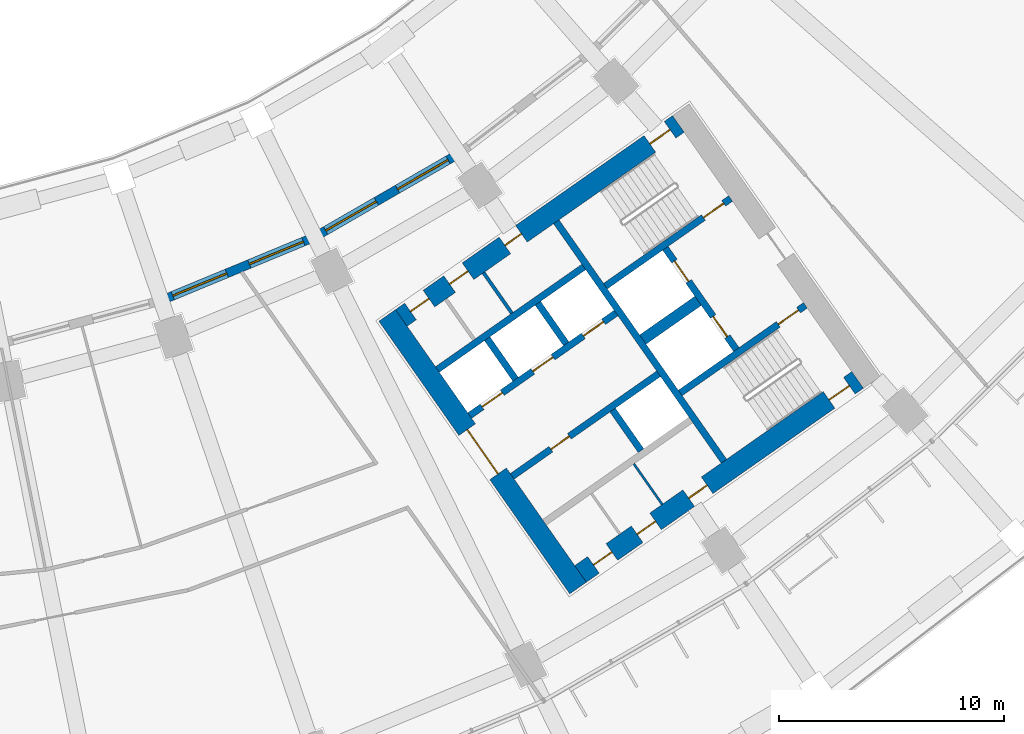
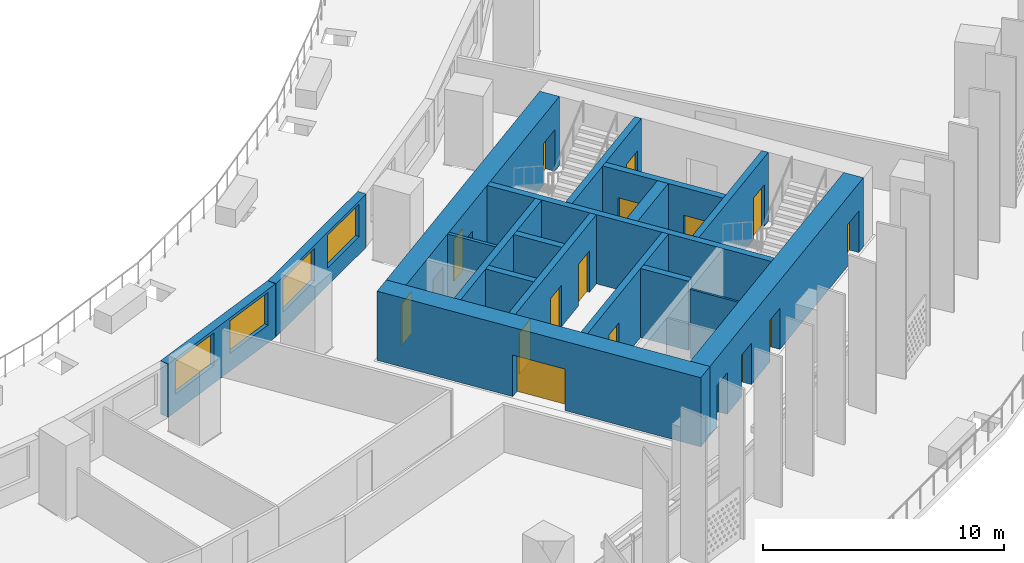
# One storey, part 7 of 35: 18 walls, 17 doors, 4 windows, 21 openings.
"""IFC4 building model written with IfcOpenShell, lengths in metres."""

from ifc_helpers import new_model, si_unit, direction, frame, frame_2d, origin, place, context, subcontext, project, spatial, rectangle, extrude, material, layer, layer_set, type_object, element, fill, save


model = new_model("IFC4")

# Units and contexts
model_context = context("Model", 3, precision=1e-05, world=origin(), true_north=direction((0.0, 1.0)))
body_context = subcontext(model_context, "Body", "Model", "MODEL_VIEW")
ifc_project = project(units=[si_unit("LENGTHUNIT", "METRE"), si_unit("AREAUNIT", "SQUARE_METRE"), si_unit("VOLUMEUNIT", "CUBIC_METRE"), si_unit("PLANEANGLEUNIT", "RADIAN"), si_unit("MASSUNIT", "GRAM", prefix="KILO")], contexts=[model_context])

# Site, building, storey
site_placement = place(None, origin())
site = spatial("IfcSite", under=ifc_project, at=site_placement, CompositionType="ELEMENT")
building_placement = place(site_placement, origin())
building = spatial("IfcBuilding", under=site, at=building_placement, Name="Qamariyya Broadcast Tower", CompositionType="ELEMENT")
storey_placement = place(building_placement, frame((0.0, 0.0, 40.5)))
storey = spatial("IfcBuildingStorey", under=building, at=storey_placement, Name="L06", CompositionType="ELEMENT", Elevation=40.5)

# Wall, opening, door
ifc_material_1 = material(Name="Concrete C70/85", Category="concrete")
ifc_layer_1 = layer(ifc_material_1, 0.89990234375)
ifc_layer_set_1 = layer_set([ifc_layer_1], Name="Core wall 900 mm Concrete C70/85")
wall_type_1 = type_object("IfcWallType", Name="Core wall 900 mm Concrete C70/85", PredefinedType="SHEAR", material=ifc_layer_set_1)
wall_1_placement = place(storey_placement, frame((36.716796875, -66.3369140625, 0.0), z_axis=(0.0, 0.0, 1.0), x_axis=(-0.573577477574, 0.819151315216, 0.0)))
wall_1 = element("IfcWall", 1, at=wall_1_placement, inside=storey, type_object=wall_type_1, Name="k-E-L06-WA", PredefinedType="SHEAR", context=body_context, shape_type="SweptSolid", body=[
    extrude(rectangle(XDim=14.800048828125, YDim=0.89990234375, at=frame_2d((7.39990234375, 0.0))), origin(), (0.0, 0.0, 1.0), 3.5),
])
opening_1_placement = place(wall_1_placement, frame((6.199951171875, 0.0, 0.0)))
opening_1 = element("IfcOpeningElement", 2, at=opening_1_placement, cuts=wall_1, Name="Opening KD3-E1", PredefinedType="OPENING", context=body_context, shape_type="SweptSolid", body=[
    extrude(rectangle(XDim=2.39990234375, YDim=2.10009765625, at=frame_2d((1.199951171875, 1.050048828125))), frame((0.0, 0.4599609375, 0.0), z_axis=(0.0, -1.0, 0.0), x_axis=(1.0, 0.0, 0.0)), (0.0, 0.0, 1.0), 0.919921875),
])
ifc_material_2 = material(Name="Steel fire-resisting door leaf", Category="steel")
door_type_1 = type_object("IfcDoorType", Name="Lift lobby door KD3", OperationType="DOUBLE_DOOR_SINGLE_SWING", PredefinedType="DOOR", material=ifc_material_2)
door_1_placement = place(opening_1_placement, origin())
door_1 = element("IfcDoor", 3, at=door_1_placement, inside=storey, type_object=door_type_1, Name="k-E-L06-WA-D1", OperationType="DOUBLE_DOOR_SINGLE_SWING", OverallHeight=2.10009765625, OverallWidth=2.39990234375, PredefinedType="DOOR", context=body_context, shape_type="SweptSolid", body=[
    extrude(rectangle(XDim=2.39990234375, YDim=2.10009765625, at=frame_2d((1.199951171875, 1.050048828125))), frame((0.0, 0.02490234375, 0.0), z_axis=(0.0, -1.0, 0.0), x_axis=(1.0, 0.0, 0.0)), (0.0, 0.0, 1.0), 0.050048828125),
])
fill(opening_1, door_1)

# Wall, openings, doors
wall_2_placement = place(storey_placement, frame((28.8544921875, -54.32421875, 0.0), z_axis=(0.0, 0.0, 1.0), x_axis=(0.819145767589, 0.573585400304, 0.0)))
wall_2 = element("IfcWall", 4, at=wall_2_placement, inside=storey, type_object=wall_type_1, Name="k-E-L06-WI", PredefinedType="SHEAR", context=body_context, shape_type="SweptSolid", body=[
    extrude(rectangle(XDim=15.04541015625, YDim=0.89990234375, at=frame_2d((7.522705078125, 0.0))), origin(), (0.0, 0.0, 1.0), 3.5),
])
opening_2_placement = place(wall_2_placement, frame((0.5, 0.0, 0.0)))
opening_2 = element("IfcOpeningElement", 5, at=opening_2_placement, cuts=wall_2, Name="Opening KD6-E2", PredefinedType="OPENING", context=body_context, shape_type="SweptSolid", body=[
    extrude(rectangle(XDim=1.0, YDim=2.10009765625, at=frame_2d((0.5, 1.050048828125))), frame((0.0, 0.4599609375, 0.0), z_axis=(0.0, -1.0, 0.0), x_axis=(1.0, 0.0, 0.0)), (0.0, 0.0, 1.0), 0.919921875),
])
opening_3_placement = place(wall_2_placement, frame((2.625, 0.0, 0.0)))
opening_3 = element("IfcOpeningElement", 6, at=opening_3_placement, cuts=wall_2, Name="Opening KD7-E1", PredefinedType="OPENING", context=body_context, shape_type="SweptSolid", body=[
    extrude(rectangle(XDim=1.0, YDim=2.10009765625, at=frame_2d((0.5, 1.050048828125))), frame((0.0, 0.4599609375, 0.0), z_axis=(0.0, -1.0, 0.0), x_axis=(1.0, 0.0, 0.0)), (0.0, 0.0, 1.0), 0.919921875),
])
opening_4_placement = place(wall_2_placement, frame((5.625, 0.0, 0.0)))
opening_4 = element("IfcOpeningElement", 7, at=opening_4_placement, cuts=wall_2, Name="Opening KD5-E1", PredefinedType="OPENING", context=body_context, shape_type="SweptSolid", body=[
    extrude(rectangle(XDim=0.89990234375, YDim=2.10009765625, at=frame_2d((0.449951171875, 1.050048828125))), frame((0.0, 0.4599609375, 0.0), z_axis=(0.0, -1.0, 0.0), x_axis=(1.0, 0.0, 0.0)), (0.0, 0.0, 1.0), 0.919921875),
])
opening_5_placement = place(wall_2_placement, frame((13.495361328125, 0.0, 0.0)))
opening_5 = element("IfcOpeningElement", 8, at=opening_5_placement, cuts=wall_2, Name="Opening KD1-E1", PredefinedType="OPENING", context=body_context, shape_type="SweptSolid", body=[
    extrude(rectangle(XDim=1.10009765625, YDim=2.10009765625, at=frame_2d((0.550048828125, 1.050048828125))), frame((0.0, 0.4599609375, 0.0), z_axis=(0.0, -1.0, 0.0), x_axis=(1.0, 0.0, 0.0)), (0.0, 0.0, 1.0), 0.919921875),
])
door_type_2 = type_object("IfcDoorType", Name="Accessible toilet door KD7", OperationType="SINGLE_SWING_LEFT", PredefinedType="DOOR", material=ifc_material_2)
door_2_placement = place(opening_3_placement, origin())
door_2 = element("IfcDoor", 9, at=door_2_placement, inside=storey, type_object=door_type_2, Name="k-E-L06-WI-D7", OperationType="SINGLE_SWING_LEFT", OverallHeight=2.10009765625, OverallWidth=1.0, PredefinedType="DOOR", context=body_context, shape_type="SweptSolid", body=[
    extrude(rectangle(XDim=1.0, YDim=2.10009765625, at=frame_2d((0.5, 1.050048828125))), frame((0.0, 0.02490234375, 0.0), z_axis=(0.0, -1.0, 0.0), x_axis=(1.0, 0.0, 0.0)), (0.0, 0.0, 1.0), 0.050048828125),
])
fill(opening_3, door_2)
door_type_3 = type_object("IfcDoorType", Name="Core room door KD6", OperationType="SINGLE_SWING_LEFT", PredefinedType="DOOR", material=ifc_material_2)
door_3_placement = place(opening_2_placement, origin())
door_3 = element("IfcDoor", 10, at=door_3_placement, inside=storey, type_object=door_type_3, Name="k-E-L06-WI-D6", OperationType="SINGLE_SWING_RIGHT", OverallHeight=2.10009765625, OverallWidth=1.0, PredefinedType="DOOR", context=body_context, shape_type="SweptSolid", body=[
    extrude(rectangle(XDim=1.0, YDim=2.10009765625, at=frame_2d((0.5, 1.050048828125))), frame((0.0, 0.02490234375, 0.0), z_axis=(0.0, -1.0, 0.0), x_axis=(1.0, 0.0, 0.0)), (0.0, 0.0, 1.0), 0.050048828125),
])
fill(opening_2, door_3)
door_type_4 = type_object("IfcDoorType", Name="Stair door KD1", OperationType="SINGLE_SWING_LEFT", PredefinedType="DOOR", material=ifc_material_2)
door_4_placement = place(opening_5_placement, origin())
door_4 = element("IfcDoor", 11, at=door_4_placement, inside=storey, type_object=door_type_4, Name="k-E-L06-WI-D15", OperationType="SINGLE_SWING_RIGHT", OverallHeight=2.10009765625, OverallWidth=1.10009765625, PredefinedType="DOOR", context=body_context, shape_type="SweptSolid", body=[
    extrude(rectangle(XDim=1.10009765625, YDim=2.10009765625, at=frame_2d((0.550048828125, 1.050048828125))), frame((0.0, 0.02490234375, 0.0), z_axis=(0.0, -1.0, 0.0), x_axis=(1.0, 0.0, 0.0)), (0.0, 0.0, 1.0), 0.050048828125),
])
fill(opening_5, door_4)
door_type_5 = type_object("IfcDoorType", Name="Toilet door KD5", OperationType="SINGLE_SWING_LEFT", PredefinedType="DOOR", material=ifc_material_2)
door_5_placement = place(opening_4_placement, origin())
door_5 = element("IfcDoor", 12, at=door_5_placement, inside=storey, type_object=door_type_5, Name="k-E-L06-WI-D8", OperationType="SINGLE_SWING_RIGHT", OverallHeight=2.10009765625, OverallWidth=0.89990234375, PredefinedType="DOOR", context=body_context, shape_type="SweptSolid", body=[
    extrude(rectangle(XDim=0.89990234375, YDim=2.10009765625, at=frame_2d((0.449951171875, 1.050048828125))), frame((0.0, 0.02490234375, 0.0), z_axis=(0.0, -1.0, 0.0), x_axis=(1.0, 0.0, 0.0)), (0.0, 0.0, 1.0), 0.050048828125),
])
fill(opening_4, door_5)

wall_3_placement = place(storey_placement, frame((36.827392578125, -65.710205078125, 0.0), z_axis=(0.0, 0.0, 1.0), x_axis=(0.819153391756, 0.573574511963, 0.0)))
wall_3 = element("IfcWall", 13, at=wall_3_placement, inside=storey, type_object=wall_type_1, Name="k-E-L06-WO", PredefinedType="SHEAR", context=body_context, shape_type="SweptSolid", body=[
    extrude(rectangle(XDim=15.04541015625, YDim=0.89990234375, at=frame_2d((7.522705078125, 0.0))), origin(), (0.0, 0.0, 1.0), 3.5),
])
opening_6_placement = place(wall_3_placement, frame((0.699951171875, 0.0, 0.0)))
opening_6 = element("IfcOpeningElement", 14, at=opening_6_placement, cuts=wall_3, Name="Opening KD6-E3", PredefinedType="OPENING", context=body_context, shape_type="SweptSolid", body=[
    extrude(rectangle(XDim=1.0, YDim=2.10009765625, at=frame_2d((0.5, 1.050048828125))), frame((0.0, 0.4599609375, 0.0), z_axis=(0.0, -1.0, 0.0), x_axis=(1.0, 0.0, 0.0)), (0.0, 0.0, 1.0), 0.919921875),
])
opening_7_placement = place(wall_3_placement, frame((3.074951171875, 0.0, 0.0)))
opening_7 = element("IfcOpeningElement", 15, at=opening_7_placement, cuts=wall_3, Name="Opening KD4-E1", PredefinedType="OPENING", context=body_context, shape_type="SweptSolid", body=[
    extrude(rectangle(XDim=1.0, YDim=2.10009765625, at=frame_2d((0.5, 1.050048828125))), frame((0.0, 0.4599609375, 0.0), z_axis=(0.0, -1.0, 0.0), x_axis=(1.0, 0.0, 0.0)), (0.0, 0.0, 1.0), 0.919921875),
])
opening_8_placement = place(wall_3_placement, frame((5.875, 0.0, 0.0)))
opening_8 = element("IfcOpeningElement", 16, at=opening_8_placement, cuts=wall_3, Name="Opening KD4-E2", PredefinedType="OPENING", context=body_context, shape_type="SweptSolid", body=[
    extrude(rectangle(XDim=1.0, YDim=2.10009765625, at=frame_2d((0.5, 1.050048828125))), frame((0.0, 0.4599609375, 0.0), z_axis=(0.0, -1.0, 0.0), x_axis=(1.0, 0.0, 0.0)), (0.0, 0.0, 1.0), 0.919921875),
])
opening_9_placement = place(wall_3_placement, frame((13.495361328125, 0.0, 0.0)))
opening_9 = element("IfcOpeningElement", 17, at=opening_9_placement, cuts=wall_3, Name="Opening KD1-E3", PredefinedType="OPENING", context=body_context, shape_type="SweptSolid", body=[
    extrude(rectangle(XDim=1.10009765625, YDim=2.10009765625, at=frame_2d((0.550048828125, 1.050048828125))), frame((0.0, 0.4599609375, 0.0), z_axis=(0.0, -1.0, 0.0), x_axis=(1.0, 0.0, 0.0)), (0.0, 0.0, 1.0), 0.919921875),
])
door_6_placement = place(opening_6_placement, origin())
door_6 = element("IfcDoor", 18, at=door_6_placement, inside=storey, type_object=door_type_3, Name="k-E-L06-WO-D9", OperationType="SINGLE_SWING_LEFT", OverallHeight=2.10009765625, OverallWidth=1.0, PredefinedType="DOOR", context=body_context, shape_type="SweptSolid", body=[
    extrude(rectangle(XDim=1.0, YDim=2.10009765625, at=frame_2d((0.5, 1.050048828125))), frame((0.0, 0.02490234375, 0.0), z_axis=(0.0, -1.0, 0.0), x_axis=(1.0, 0.0, 0.0)), (0.0, 0.0, 1.0), 0.050048828125),
])
fill(opening_6, door_6)
door_type_6 = type_object("IfcDoorType", Name="Riser and plant door KD4", OperationType="SINGLE_SWING_LEFT", PredefinedType="DOOR", material=ifc_material_2)
door_7_placement = place(opening_7_placement, origin())
door_7 = element("IfcDoor", 19, at=door_7_placement, inside=storey, type_object=door_type_6, Name="k-E-L06-WO-D10", OperationType="SINGLE_SWING_RIGHT", OverallHeight=2.10009765625, OverallWidth=1.0, PredefinedType="DOOR", context=body_context, shape_type="SweptSolid", body=[
    extrude(rectangle(XDim=1.0, YDim=2.10009765625, at=frame_2d((0.5, 1.050048828125))), frame((0.0, 0.02490234375, 0.0), z_axis=(0.0, -1.0, 0.0), x_axis=(1.0, 0.0, 0.0)), (0.0, 0.0, 1.0), 0.050048828125),
])
fill(opening_7, door_7)
door_8_placement = place(opening_8_placement, origin())
door_8 = element("IfcDoor", 20, at=door_8_placement, inside=storey, type_object=door_type_6, Name="k-E-L06-WO-D11", OperationType="SINGLE_SWING_LEFT", OverallHeight=2.10009765625, OverallWidth=1.0, PredefinedType="DOOR", context=body_context, shape_type="SweptSolid", body=[
    extrude(rectangle(XDim=1.0, YDim=2.10009765625, at=frame_2d((0.5, 1.050048828125))), frame((0.0, 0.02490234375, 0.0), z_axis=(0.0, -1.0, 0.0), x_axis=(1.0, 0.0, 0.0)), (0.0, 0.0, 1.0), 0.050048828125),
])
fill(opening_8, door_8)
door_9_placement = place(opening_9_placement, origin())
door_9 = element("IfcDoor", 21, at=door_9_placement, inside=storey, type_object=door_type_4, Name="k-E-L06-WO-D17", OperationType="SINGLE_SWING_LEFT", OverallHeight=2.10009765625, OverallWidth=1.10009765625, PredefinedType="DOOR", context=body_context, shape_type="SweptSolid", body=[
    extrude(rectangle(XDim=1.10009765625, YDim=2.10009765625, at=frame_2d((0.550048828125, 1.050048828125))), frame((0.0, 0.02490234375, 0.0), z_axis=(0.0, -1.0, 0.0), x_axis=(1.0, 0.0, 0.0)), (0.0, 0.0, 1.0), 0.050048828125),
])
fill(opening_9, door_9)

# Walls
ifc_material_3 = material(Name="Concrete C60/75", Category="concrete")
ifc_layer_2 = layer(ifc_material_3, 0.5)
ifc_layer_set_2 = layer_set([ifc_layer_2], Name="Fire-fighting lobby divider wall 500 mm Concrete C60/75")
wall_type_2 = type_object("IfcWallType", Name="Fire-fighting lobby divider wall 500 mm Concrete C60/75", PredefinedType="SOLIDWALL", material=ifc_layer_set_2)
wall_4_placement = place(storey_placement, frame((39.59912109375, -55.28515625, 0.0), z_axis=(0.0, 0.0, 1.0), x_axis=(0.819136323161, 0.573598887793, 0.0)))
element("IfcWall", 22, at=wall_4_placement, inside=storey, type_object=wall_type_2, Name="k-E-L06-FD", PredefinedType="SOLIDWALL", context=body_context, shape_type="SweptSolid", body=[
    extrude(rectangle(XDim=2.999755859375, YDim=0.5, at=frame_2d((1.5, 0.0))), origin(), (0.0, 0.0, 1.0), 3.5),
])
ifc_material_4 = material(Name="Gypsum board partition on steel studs", Category="steel")
ifc_layer_3 = layer(ifc_material_4, 0.14990234375)
ifc_layer_set_3 = layer_set([ifc_layer_3], Name="Gypsum board partition 150 mm")
wall_type_3 = type_object("IfcWallType", Name="Gypsum board partition 150 mm", PredefinedType="PARTITIONING", material=ifc_layer_set_3)
wall_5_placement = place(storey_placement, frame((33.774169921875, -54.114501953125, 0.0), z_axis=(0.0, 0.0, 1.0), x_axis=(-0.573581496053, 0.819148501424, 0.0)))
element("IfcWall", 23, at=wall_5_placement, inside=storey, type_object=wall_type_3, Name="k-E-L06-NP415", PredefinedType="PARTITIONING", context=body_context, shape_type="SweptSolid", body=[
    extrude(rectangle(XDim=2.2001953125, YDim=0.14990234375, at=frame_2d((1.10009765625, 0.0))), origin(), (0.0, 0.0, 1.0), 3.5),
])
ifc_layer_4 = layer(ifc_material_3, 0.300048828125)
ifc_layer_set_4 = layer_set([ifc_layer_4], Name="Lift shaft wall 300 mm Concrete C60/75")
wall_type_4 = type_object("IfcWallType", Name="Lift shaft wall 300 mm Concrete C60/75", PredefinedType="SOLIDWALL", material=ifc_layer_set_4)
wall_6_placement = place(storey_placement, frame((43.204345703125, -60.69580078125, 0.0), z_axis=(0.0, 0.0, 1.0), x_axis=(-0.573571992966, 0.819155155563, 0.0)))
element("IfcWall", 24, at=wall_6_placement, inside=storey, type_object=wall_type_4, Name="k-E-L06-WL", PredefinedType="SOLIDWALL", context=body_context, shape_type="SweptSolid", body=[
    extrude(rectangle(XDim=13.000244140625, YDim=0.300048828125, at=frame_2d((6.5, 0.0))), origin(), (0.0, 0.0, 1.0), 3.5),
])

# Wall, openings, doors
wall_7_placement = place(storey_placement, frame((31.89453125, -58.66552734375, 0.0), z_axis=(0.0, 0.0, 1.0), x_axis=(0.819166993208, 0.573555086491, 0.0)))
wall_7 = element("IfcWall", 25, at=wall_7_placement, inside=storey, type_object=wall_type_4, Name="k-E-L06-NF0", PredefinedType="SOLIDWALL", context=body_context, shape_type="SweptSolid", body=[
    extrude(rectangle(XDim=7.9501953125, YDim=0.300048828125, at=frame_2d((3.97509765625, 0.0))), origin(), (0.0, 0.0, 1.0), 3.5),
])
opening_10_placement = place(wall_7_placement, frame((0.675048828125, 0.0, 0.0)))
opening_10 = element("IfcOpeningElement", 26, at=opening_10_placement, cuts=wall_7, Name="Opening LD", PredefinedType="OPENING", context=body_context, shape_type="SweptSolid", body=[
    extrude(rectangle(XDim=1.10009765625, YDim=2.10009765625, at=frame_2d((0.550048828125, 1.050048828125))), frame((0.0, 0.159912109375, 0.0), z_axis=(0.0, -1.0, 0.0), x_axis=(1.0, 0.0, 0.0)), (0.0, 0.0, 1.0), 0.320068359375),
])
opening_11_placement = place(wall_7_placement, frame((3.425048828125, 0.0, 0.0)))
opening_11 = element("IfcOpeningElement", 27, at=opening_11_placement, cuts=wall_7, Name="Opening LD", PredefinedType="OPENING", context=body_context, shape_type="SweptSolid", body=[
    extrude(rectangle(XDim=1.10009765625, YDim=2.10009765625, at=frame_2d((0.550048828125, 1.050048828125))), frame((0.0, 0.159912109375, 0.0), z_axis=(0.0, -1.0, 0.0), x_axis=(1.0, 0.0, 0.0)), (0.0, 0.0, 1.0), 0.320068359375),
])
opening_12_placement = place(wall_7_placement, frame((6.175048828125, 0.0, 0.0)))
opening_12 = element("IfcOpeningElement", 28, at=opening_12_placement, cuts=wall_7, Name="Opening LD", PredefinedType="OPENING", context=body_context, shape_type="SweptSolid", body=[
    extrude(rectangle(XDim=1.10009765625, YDim=2.10009765625, at=frame_2d((0.550048828125, 1.050048828125))), frame((0.0, 0.159912109375, 0.0), z_axis=(0.0, -1.0, 0.0), x_axis=(1.0, 0.0, 0.0)), (0.0, 0.0, 1.0), 0.320068359375),
])
door_type_7 = type_object("IfcDoorType", Name="Lift landing door LD", OperationType="DOUBLE_DOOR_SLIDING", PredefinedType="DOOR", material=ifc_material_2)
door_10_placement = place(opening_10_placement, origin())
door_10 = element("IfcDoor", 29, at=door_10_placement, inside=storey, type_object=door_type_7, Name="k-E-L06-NF0-D2", OperationType="DOUBLE_DOOR_SLIDING", OverallHeight=2.10009765625, OverallWidth=1.10009765625, PredefinedType="DOOR", context=body_context, shape_type="SweptSolid", body=[
    extrude(rectangle(XDim=1.10009765625, YDim=2.10009765625, at=frame_2d((0.550048828125, 1.050048828125))), frame((0.0, 0.02490234375, 0.0), z_axis=(0.0, -1.0, 0.0), x_axis=(1.0, 0.0, 0.0)), (0.0, 0.0, 1.0), 0.050048828125),
])
fill(opening_10, door_10)
door_11_placement = place(opening_11_placement, origin())
door_11 = element("IfcDoor", 30, at=door_11_placement, inside=storey, type_object=door_type_7, Name="k-E-L06-NF0-D3", OperationType="DOUBLE_DOOR_SLIDING", OverallHeight=2.10009765625, OverallWidth=1.10009765625, PredefinedType="DOOR", context=body_context, shape_type="SweptSolid", body=[
    extrude(rectangle(XDim=1.10009765625, YDim=2.10009765625, at=frame_2d((0.550048828125, 1.050048828125))), frame((0.0, 0.02490234375, 0.0), z_axis=(0.0, -1.0, 0.0), x_axis=(1.0, 0.0, 0.0)), (0.0, 0.0, 1.0), 0.050048828125),
])
fill(opening_11, door_11)
door_12_placement = place(opening_12_placement, origin())
door_12 = element("IfcDoor", 31, at=door_12_placement, inside=storey, type_object=door_type_7, Name="k-E-L06-NF0-D4", OperationType="DOUBLE_DOOR_SLIDING", OverallHeight=2.10009765625, OverallWidth=1.10009765625, PredefinedType="DOOR", context=body_context, shape_type="SweptSolid", body=[
    extrude(rectangle(XDim=1.10009765625, YDim=2.10009765625, at=frame_2d((0.550048828125, 1.050048828125))), frame((0.0, 0.02490234375, 0.0), z_axis=(0.0, -1.0, 0.0), x_axis=(1.0, 0.0, 0.0)), (0.0, 0.0, 1.0), 0.050048828125),
])
fill(opening_12, door_12)

# Walls
wall_8_placement = place(storey_placement, frame((30.460693359375, -56.61767578125, 0.0), z_axis=(0.0, 0.0, 1.0), x_axis=(0.819142461705, 0.573590121456, 0.0)))
element("IfcWall", 32, at=wall_8_placement, inside=storey, type_object=wall_type_4, Name="k-E-L06-NB0", PredefinedType="SOLIDWALL", context=body_context, shape_type="SweptSolid", body=[
    extrude(rectangle(XDim=7.949951171875, YDim=0.300048828125, at=frame_2d((3.97509765625, 0.0))), origin(), (0.0, 0.0, 1.0), 3.5),
])
wall_9_placement = place(storey_placement, frame((33.9384765625, -57.051513671875, 0.0), z_axis=(0.0, 0.0, 1.0), x_axis=(-0.573581496053, 0.819148501424, 0.0)))
element("IfcWall", 33, at=wall_9_placement, inside=storey, type_object=wall_type_4, Name="k-E-L06-ND0", PredefinedType="SOLIDWALL", context=body_context, shape_type="SweptSolid", body=[
    extrude(rectangle(XDim=2.2001953125, YDim=0.300048828125, at=frame_2d((1.10009765625, 0.0))), origin(), (0.0, 0.0, 1.0), 3.5),
])
wall_10_placement = place(storey_placement, frame((36.19091796875, -55.47412109375, 0.0), z_axis=(0.0, 0.0, 1.0), x_axis=(-0.573507030513, 0.819200638399, 0.0)))
element("IfcWall", 34, at=wall_10_placement, inside=storey, type_object=wall_type_4, Name="k-E-L06-ND1", PredefinedType="SOLIDWALL", context=body_context, shape_type="SweptSolid", body=[
    extrude(rectangle(XDim=2.199951171875, YDim=0.300048828125, at=frame_2d((1.10009765625, 0.0))), origin(), (0.0, 0.0, 1.0), 3.5),
])

# Wall, opening, door
wall_11_placement = place(storey_placement, frame((33.787353515625, -61.368896484375, 0.0), z_axis=(0.0, 0.0, 1.0), x_axis=(0.819152564888, 0.573575692858, 0.0)))
wall_11 = element("IfcWall", 35, at=wall_11_placement, inside=storey, type_object=wall_type_4, Name="k-E-L06-SF0", PredefinedType="SOLIDWALL", context=body_context, shape_type="SweptSolid", body=[
    extrude(rectangle(XDim=7.9501953125, YDim=0.300048828125, at=frame_2d((3.97509765625, 0.0))), origin(), (0.0, 0.0, 1.0), 3.5),
])
opening_13_placement = place(wall_11_placement, frame((2.10009765625, 0.0, 0.0)))
opening_13 = element("IfcOpeningElement", 36, at=opening_13_placement, cuts=wall_11, Name="Opening KD6-E1", PredefinedType="OPENING", context=body_context, shape_type="SweptSolid", body=[
    extrude(rectangle(XDim=1.0, YDim=2.10009765625, at=frame_2d((0.5, 1.050048828125))), frame((0.0, 0.159912109375, 0.0), z_axis=(0.0, -1.0, 0.0), x_axis=(1.0, 0.0, 0.0)), (0.0, 0.0, 1.0), 0.320068359375),
])
door_13_placement = place(opening_13_placement, origin())
door_13 = element("IfcDoor", 37, at=door_13_placement, inside=storey, type_object=door_type_3, Name="k-E-L06-SF0-D5", OperationType="SINGLE_SWING_LEFT", OverallHeight=2.10009765625, OverallWidth=1.0, PredefinedType="DOOR", context=body_context, shape_type="SweptSolid", body=[
    extrude(rectangle(XDim=1.0, YDim=2.10009765625, at=frame_2d((0.5, 1.050048828125))), frame((0.0, 0.02490234375, 0.0), z_axis=(0.0, -1.0, 0.0), x_axis=(1.0, 0.0, 0.0)), (0.0, 0.0, 1.0), 0.050048828125),
])
fill(opening_13, door_13)

# Wall
wall_12_placement = place(storey_placement, frame((38.255859375, -58.423095703125, 0.0), z_axis=(0.0, 0.0, 1.0), x_axis=(0.573633636671, -0.819111989218, 0.0)))
element("IfcWall", 38, at=wall_12_placement, inside=storey, type_object=wall_type_4, Name="k-E-L06-SD1", PredefinedType="SOLIDWALL", context=body_context, shape_type="SweptSolid", body=[
    extrude(rectangle(XDim=2.199951171875, YDim=0.300048828125, at=frame_2d((1.10009765625, 0.0))), origin(), (0.0, 0.0, 1.0), 3.5),
])

# Wall, opening, door
wall_13_placement = place(storey_placement, frame((37.935546875, -52.90966796875, 0.0), z_axis=(0.0, 0.0, 1.0), x_axis=(0.819147518138, 0.57358290031, 0.0)))
wall_13 = element("IfcWall", 39, at=wall_13_placement, inside=storey, type_object=wall_type_4, Name="k-E-L06-NW", PredefinedType="SOLIDWALL", context=body_context, shape_type="SweptSolid", body=[
    extrude(rectangle(XDim=6.79541015625, YDim=0.300048828125, at=frame_2d((3.397705078125, 0.0))), origin(), (0.0, 0.0, 1.0), 3.5),
])
opening_14_placement = place(wall_13_placement, frame((5.3203125, 0.0, 0.0)))
opening_14 = element("IfcOpeningElement", 40, at=opening_14_placement, cuts=wall_13, Name="Opening KD1-E2", PredefinedType="OPENING", context=body_context, shape_type="SweptSolid", body=[
    extrude(rectangle(XDim=1.10009765625, YDim=2.10009765625, at=frame_2d((0.550048828125, 1.050048828125))), frame((0.0, 0.159912109375, 0.0), z_axis=(0.0, -1.0, 0.0), x_axis=(1.0, 0.0, 0.0)), (0.0, 0.0, 1.0), 0.320068359375),
])
door_14_placement = place(opening_14_placement, origin())
door_14 = element("IfcDoor", 41, at=door_14_placement, inside=storey, type_object=door_type_4, Name="k-E-L06-NW-D16", OperationType="SINGLE_SWING_RIGHT", OverallHeight=2.10009765625, OverallWidth=1.10009765625, PredefinedType="DOOR", context=body_context, shape_type="SweptSolid", body=[
    extrude(rectangle(XDim=1.10009765625, YDim=2.10009765625, at=frame_2d((0.550048828125, 1.050048828125))), frame((0.0, 0.02490234375, 0.0), z_axis=(0.0, -1.0, 0.0), x_axis=(1.0, 0.0, 0.0)), (0.0, 0.0, 1.0), 0.050048828125),
])
fill(opening_14, door_14)

wall_14_placement = place(storey_placement, frame((41.262451171875, -57.66064453125, 0.0), z_axis=(0.0, 0.0, 1.0), x_axis=(0.819164398642, 0.573558792102, 0.0)))
wall_14 = element("IfcWall", 42, at=wall_14_placement, inside=storey, type_object=wall_type_4, Name="k-E-L06-SW", PredefinedType="SOLIDWALL", context=body_context, shape_type="SweptSolid", body=[
    extrude(rectangle(XDim=6.795166015625, YDim=0.300048828125, at=frame_2d((3.3974609375, 0.0))), origin(), (0.0, 0.0, 1.0), 3.5),
])
opening_15_placement = place(wall_14_placement, frame((5.3203125, 0.0, 0.0)))
opening_15 = element("IfcOpeningElement", 43, at=opening_15_placement, cuts=wall_14, Name="Opening KD1-E4", PredefinedType="OPENING", context=body_context, shape_type="SweptSolid", body=[
    extrude(rectangle(XDim=1.10009765625, YDim=2.10009765625, at=frame_2d((0.550048828125, 1.050048828125))), frame((0.0, 0.159912109375, 0.0), z_axis=(0.0, -1.0, 0.0), x_axis=(1.0, 0.0, 0.0)), (0.0, 0.0, 1.0), 0.320068359375),
])
door_15_placement = place(opening_15_placement, origin())
door_15 = element("IfcDoor", 44, at=door_15_placement, inside=storey, type_object=door_type_4, Name="k-E-L06-SW-D18", OperationType="SINGLE_SWING_RIGHT", OverallHeight=2.10009765625, OverallWidth=1.10009765625, PredefinedType="DOOR", context=body_context, shape_type="SweptSolid", body=[
    extrude(rectangle(XDim=1.10009765625, YDim=2.10009765625, at=frame_2d((0.550048828125, 1.050048828125))), frame((0.0, 0.02490234375, 0.0), z_axis=(0.0, -1.0, 0.0), x_axis=(1.0, 0.0, 0.0)), (0.0, 0.0, 1.0), 0.050048828125),
])
fill(opening_15, door_15)

# Wall, openings, doors
wall_15_placement = place(storey_placement, frame((43.756591796875, -55.731201171875, 0.0), z_axis=(0.0, 0.0, 1.0), x_axis=(-0.573536818435, 0.819179783625, 0.0)))
wall_15 = element("IfcWall", 45, at=wall_15_placement, inside=storey, type_object=wall_type_4, Name="k-E-L06-FF", PredefinedType="SOLIDWALL", context=body_context, shape_type="SweptSolid", body=[
    extrude(rectangle(XDim=5.500244140625, YDim=0.300048828125, at=frame_2d((2.75, 0.0))), origin(), (0.0, 0.0, 1.0), 3.5),
])
opening_16_placement = place(wall_15_placement, frame((0.699951171875, 0.0, 0.0)))
opening_16 = element("IfcOpeningElement", 46, at=opening_16_placement, cuts=wall_15, Name="Opening LD", PredefinedType="OPENING", context=body_context, shape_type="SweptSolid", body=[
    extrude(rectangle(XDim=1.10009765625, YDim=2.10009765625, at=frame_2d((0.550048828125, 1.050048828125))), frame((0.0, 0.159912109375, 0.0), z_axis=(0.0, -1.0, 0.0), x_axis=(1.0, 0.0, 0.0)), (0.0, 0.0, 1.0), 0.320068359375),
])
opening_17_placement = place(wall_15_placement, frame((3.699951171875, 0.0, 0.0)))
opening_17 = element("IfcOpeningElement", 47, at=opening_17_placement, cuts=wall_15, Name="Opening LD", PredefinedType="OPENING", context=body_context, shape_type="SweptSolid", body=[
    extrude(rectangle(XDim=1.10009765625, YDim=2.10009765625, at=frame_2d((0.550048828125, 1.050048828125))), frame((0.0, 0.159912109375, 0.0), z_axis=(0.0, -1.0, 0.0), x_axis=(1.0, 0.0, 0.0)), (0.0, 0.0, 1.0), 0.320068359375),
])
door_16_placement = place(opening_16_placement, origin())
door_16 = element("IfcDoor", 48, at=door_16_placement, inside=storey, type_object=door_type_7, Name="k-E-L06-FF-D12", OperationType="DOUBLE_DOOR_SLIDING", OverallHeight=2.10009765625, OverallWidth=1.10009765625, PredefinedType="DOOR", context=body_context, shape_type="SweptSolid", body=[
    extrude(rectangle(XDim=1.10009765625, YDim=2.10009765625, at=frame_2d((0.550048828125, 1.050048828125))), frame((0.0, 0.02490234375, 0.0), z_axis=(0.0, -1.0, 0.0), x_axis=(1.0, 0.0, 0.0)), (0.0, 0.0, 1.0), 0.050048828125),
])
fill(opening_16, door_16)
door_17_placement = place(opening_17_placement, origin())
door_17 = element("IfcDoor", 49, at=door_17_placement, inside=storey, type_object=door_type_7, Name="k-E-L06-FF-D13", OperationType="DOUBLE_DOOR_SLIDING", OverallHeight=2.10009765625, OverallWidth=1.10009765625, PredefinedType="DOOR", context=body_context, shape_type="SweptSolid", body=[
    extrude(rectangle(XDim=1.10009765625, YDim=2.10009765625, at=frame_2d((0.550048828125, 1.050048828125))), frame((0.0, 0.02490234375, 0.0), z_axis=(0.0, -1.0, 0.0), x_axis=(1.0, 0.0, 0.0)), (0.0, 0.0, 1.0), 0.050048828125),
])
fill(opening_17, door_17)

# Wall
ifc_material_5 = material(Name="Fire-rated gypsum shaft liner on steel studs", Category="steel")
ifc_layer_5 = layer(ifc_material_5, 0.10009765625)
ifc_layer_set_5 = layer_set([ifc_layer_5], Name="Riser wall 100 mm")
wall_type_5 = type_object("IfcWallType", Name="Riser wall 100 mm", PredefinedType="PLUMBINGWALL", material=ifc_layer_set_5)
wall_16_placement = place(storey_placement, frame((39.1982421875, -60.81494140625, 0.0), z_axis=(0.0, 0.0, 1.0), x_axis=(0.573581496053, -0.819148501424, 0.0)))
element("IfcWall", 50, at=wall_16_placement, inside=storey, type_object=wall_type_5, Name="k-E-L06-SP475", PredefinedType="PLUMBINGWALL", context=body_context, shape_type="SweptSolid", body=[
    extrude(rectangle(XDim=2.2001953125, YDim=0.10009765625, at=frame_2d((1.10009765625, 0.0))), origin(), (0.0, 0.0, 1.0), 3.5),
])

# Wall, openings, windows
ifc_material_6 = material(Name="Terracotta", Category="masonry")
ifc_layer_6 = layer(ifc_material_6, 0.39990234375)
ifc_layer_set_6 = layer_set([ifc_layer_6], Name="Terracotta clad wall 400")
wall_type_6 = type_object("IfcWallType", Name="Terracotta clad wall 400", PredefinedType="SOLIDWALL", material=ifc_layer_set_6)
wall_17_placement = place(storey_placement, frame((24.96484375, -50.738037109375, 0.0), z_axis=(0.0, 0.0, 1.0), x_axis=(-0.923891626322, -0.382654234018, 0.0)))
wall_17 = element("IfcWall", 51, at=wall_17_placement, inside=storey, type_object=wall_type_6, Name="e-wl-L06-in110", PredefinedType="SOLIDWALL", context=body_context, shape_type="SweptSolid", body=[
    extrude(rectangle(XDim=7.295654296875, YDim=0.39990234375, at=frame_2d((3.64794921875, 0.0))), origin(), (0.0, 0.0, 1.0), 2.699951171875),
])
opening_18_placement = place(wall_17_placement, frame((4.190673828125, 0.0, 0.89990234375)))
opening_18 = element("IfcOpeningElement", 52, at=opening_18_placement, cuts=wall_17, Name="Opening W1", PredefinedType="OPENING", context=body_context, shape_type="SweptSolid", body=[
    extrude(rectangle(XDim=2.60009765625, YDim=1.64990234375, at=frame_2d((1.300048828125, 0.824951171875))), frame((0.0, 0.2099609375, 0.0), z_axis=(0.0, -1.0, 0.0), x_axis=(1.0, 0.0, 0.0)), (0.0, 0.0, 1.0), 0.419921875),
])
opening_19_placement = place(wall_17_placement, frame((0.505126953125, 0.0, 0.89990234375)))
opening_19 = element("IfcOpeningElement", 53, at=opening_19_placement, cuts=wall_17, Name="Opening W1", PredefinedType="OPENING", context=body_context, shape_type="SweptSolid", body=[
    extrude(rectangle(XDim=2.60009765625, YDim=1.64990234375, at=frame_2d((1.300048828125, 0.824951171875))), frame((0.0, 0.2099609375, 0.0), z_axis=(0.0, -1.0, 0.0), x_axis=(1.0, 0.0, 0.0)), (0.0, 0.0, 1.0), 0.419921875),
])
ifc_material_7 = material(Name="Clear low-e double glazed unit in aluminium frame", Category="aluminium")
window_type = type_object("IfcWindowType", Name="Ribbon window 2600 x 1650", PartitioningType="SINGLE_PANEL", PredefinedType="WINDOW", material=ifc_material_7)
window_1_placement = place(opening_18_placement, origin())
window_1 = element("IfcWindow", 54, at=window_1_placement, inside=storey, type_object=window_type, Name="e-w-L06-in11-0", OverallHeight=1.64990234375, OverallWidth=2.60009765625, PartitioningType="SINGLE_PANEL", PredefinedType="WINDOW", context=body_context, shape_type="SweptSolid", body=[
    extrude(rectangle(XDim=2.60009765625, YDim=1.64990234375, at=frame_2d((1.300048828125, 0.824951171875))), frame((0.0, 0.030029296875, 0.0), z_axis=(0.0, -1.0, 0.0), x_axis=(1.0, 0.0, 0.0)), (0.0, 0.0, 1.0), 0.06005859375),
])
fill(opening_18, window_1)
window_2_placement = place(opening_19_placement, origin())
window_2 = element("IfcWindow", 55, at=window_2_placement, inside=storey, type_object=window_type, Name="e-w-L06-in11-1", OverallHeight=1.64990234375, OverallWidth=2.60009765625, PartitioningType="SINGLE_PANEL", PredefinedType="WINDOW", context=body_context, shape_type="SweptSolid", body=[
    extrude(rectangle(XDim=2.60009765625, YDim=1.64990234375, at=frame_2d((1.300048828125, 0.824951171875))), frame((0.0, 0.030029296875, 0.0), z_axis=(0.0, -1.0, 0.0), x_axis=(1.0, 0.0, 0.0)), (0.0, 0.0, 1.0), 0.06005859375),
])
fill(opening_19, window_2)

wall_18_placement = place(storey_placement, frame((31.439453125, -47.007568359375, 0.0), z_axis=(0.0, 0.0, 1.0), x_axis=(-0.866037641005, -0.499978803913, 0.0)))
wall_18 = element("IfcWall", 56, at=wall_18_placement, inside=storey, type_object=wall_type_6, Name="e-wl-L06-in120", PredefinedType="SOLIDWALL", context=body_context, shape_type="SweptSolid", body=[
    extrude(rectangle(XDim=7.447021484375, YDim=0.39990234375, at=frame_2d((3.7236328125, 0.0))), origin(), (0.0, 0.0, 1.0), 2.699951171875),
])
opening_20_placement = place(wall_18_placement, frame((4.266357421875, 0.0, 0.89990234375)))
opening_20 = element("IfcOpeningElement", 57, at=opening_20_placement, cuts=wall_18, Name="Opening W1", PredefinedType="OPENING", context=body_context, shape_type="SweptSolid", body=[
    extrude(rectangle(XDim=2.60009765625, YDim=1.64990234375, at=frame_2d((1.300048828125, 0.824951171875))), frame((0.0, 0.2099609375, 0.0), z_axis=(0.0, -1.0, 0.0), x_axis=(1.0, 0.0, 0.0)), (0.0, 0.0, 1.0), 0.419921875),
])
opening_21_placement = place(wall_18_placement, frame((0.580810546875, 0.0, 0.89990234375)))
opening_21 = element("IfcOpeningElement", 58, at=opening_21_placement, cuts=wall_18, Name="Opening W1", PredefinedType="OPENING", context=body_context, shape_type="SweptSolid", body=[
    extrude(rectangle(XDim=2.60009765625, YDim=1.64990234375, at=frame_2d((1.300048828125, 0.824951171875))), frame((0.0, 0.2099609375, 0.0), z_axis=(0.0, -1.0, 0.0), x_axis=(1.0, 0.0, 0.0)), (0.0, 0.0, 1.0), 0.419921875),
])
window_3_placement = place(opening_20_placement, origin())
window_3 = element("IfcWindow", 59, at=window_3_placement, inside=storey, type_object=window_type, Name="e-w-L06-in12-0", OverallHeight=1.64990234375, OverallWidth=2.60009765625, PartitioningType="SINGLE_PANEL", PredefinedType="WINDOW", context=body_context, shape_type="SweptSolid", body=[
    extrude(rectangle(XDim=2.60009765625, YDim=1.64990234375, at=frame_2d((1.300048828125, 0.824951171875))), frame((0.0, 0.030029296875, 0.0), z_axis=(0.0, -1.0, 0.0), x_axis=(1.0, 0.0, 0.0)), (0.0, 0.0, 1.0), 0.06005859375),
])
fill(opening_20, window_3)
window_4_placement = place(opening_21_placement, origin())
window_4 = element("IfcWindow", 60, at=window_4_placement, inside=storey, type_object=window_type, Name="e-w-L06-in12-1", OverallHeight=1.64990234375, OverallWidth=2.60009765625, PartitioningType="SINGLE_PANEL", PredefinedType="WINDOW", context=body_context, shape_type="SweptSolid", body=[
    extrude(rectangle(XDim=2.60009765625, YDim=1.64990234375, at=frame_2d((1.300048828125, 0.824951171875))), frame((0.0, 0.030029296875, 0.0), z_axis=(0.0, -1.0, 0.0), x_axis=(1.0, 0.0, 0.0)), (0.0, 0.0, 1.0), 0.06005859375),
])
fill(opening_21, window_4)

save(model, "model.ifc")
